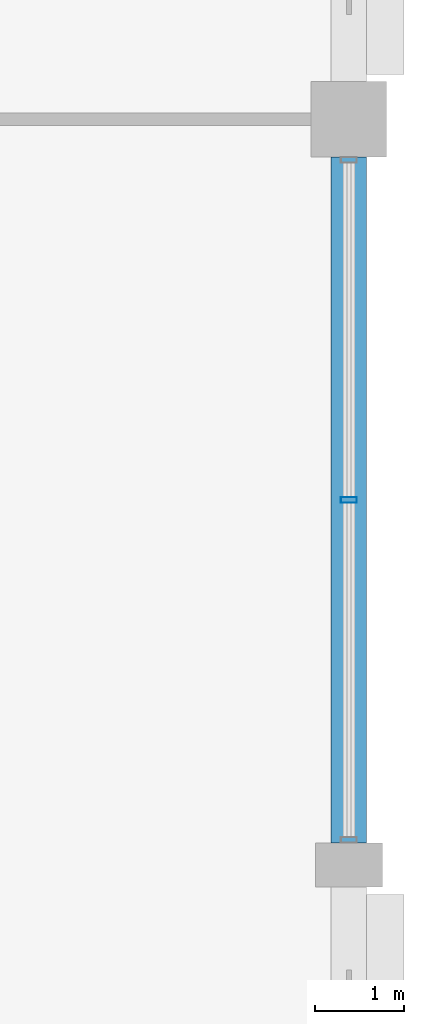
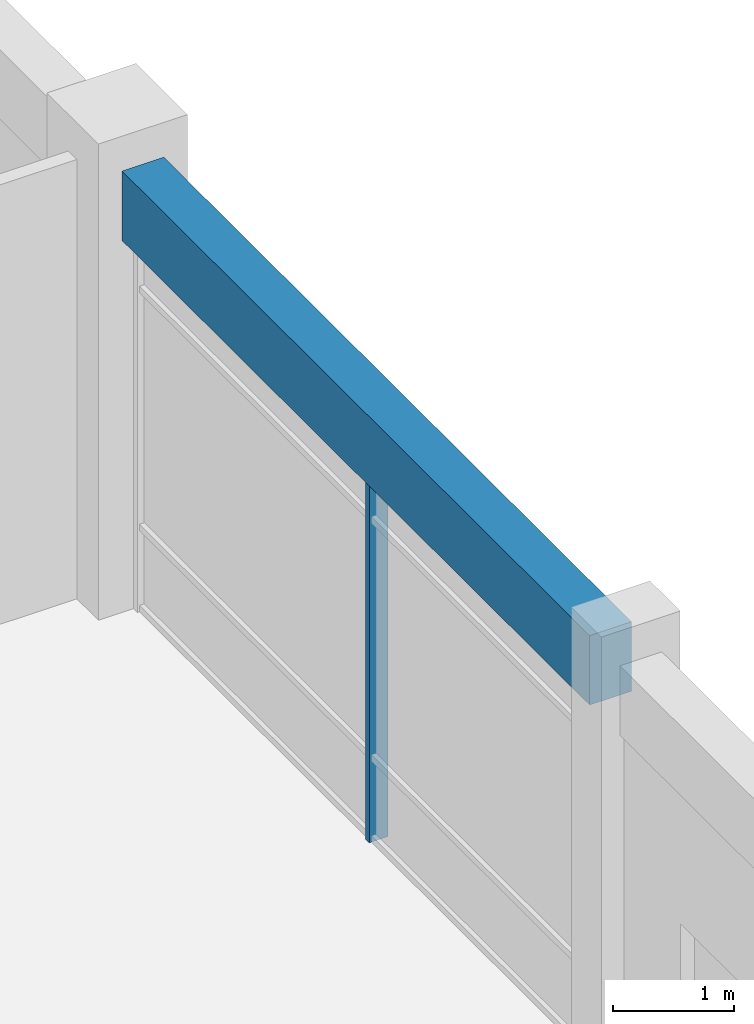
# One storey, part 45 of 79: 1 beam, 1 member, 1 element without a shape of its own.
"""IFC4 building model written with IfcOpenShell, lengths in metres."""

import ifcopenshell
import ifcopenshell.guid

model = None  # the IFC model being written
_history = None  # IfcOwnerHistory: only IFC2X3 demands one
_inside = {}  # id of a spatial element -> (the spatial element, [elements in it])
_under = {}  # id of a project, library or spatial element -> (it, [spatial elements below it])
_declared = {}  # id of a project -> (the project, [libraries it declares])
_typed = {}  # id of a type object -> (the type object, [elements of that type])
_made_of = {}  # id of a material, layer set ... -> (it, [elements and type objects made of it])


def new_model(schema):
    """Start an empty IFC model of exactly this schema.

    Asked for "IFC4X3", IfcOpenShell would pick the latest addendum, in which some entities
    have other attributes; the version numbers below select the first issue.
    IFC2X3 requires an IfcOwnerHistory on every rooted entity: one is made here for all.
    """
    global model, _history
    if schema == "IFC4X3":
        model = ifcopenshell.file(schema_version=(4, 3, 0, 0))
    else:
        model = ifcopenshell.file(schema=schema)
    _inside.clear()
    _under.clear()
    _declared.clear()
    _typed.clear()
    _made_of.clear()
    _history = None
    if model.schema == "IFC2X3":
        org = make("IfcOrganization", Name="unknown")
        user = make(
            "IfcPersonAndOrganization",
            ThePerson=make("IfcPerson", FamilyName="unknown"),
            TheOrganization=org,
        )
        app = make(
            "IfcApplication",
            ApplicationDeveloper=org,
            Version="unknown",
            ApplicationFullName="unknown",
            ApplicationIdentifier="unknown",
        )
        _history = make(
            "IfcOwnerHistory",
            OwningUser=user,
            OwningApplication=app,
            ChangeAction="ADDED",
            CreationDate=0,
        )
    return model


def make(cls, **values):
    """One entity of the class cls with the attributes given. An attribute that is None is left unset."""
    return model.create_entity(
        cls, **{name: value for name, value in values.items() if value is not None}
    )


def rooted(cls, **values):
    """An entity with a GlobalId (a new one), such as an element, a storey or a relation."""
    return make(cls, GlobalId=ifcopenshell.guid.new(), OwnerHistory=_history, **values)


def si_unit(unit_type, name, prefix=None):
    """IfcSIUnit, for example si_unit("LENGTHUNIT", "METRE", prefix="MILLI")."""
    return make("IfcSIUnit", UnitType=unit_type, Prefix=prefix, Name=name)


def assignment(units):
    """IfcUnitAssignment: the units of a project."""
    return None if units is None else make("IfcUnitAssignment", Units=units)


def point(xyz):
    """IfcCartesianPoint."""
    return None if xyz is None else make("IfcCartesianPoint", Coordinates=xyz)


def direction(xyz):
    """IfcDirection."""
    return None if xyz is None else make("IfcDirection", DirectionRatios=xyz)


def frame(location, z_axis=None, x_axis=None):
    """IfcAxis2Placement3D, a coordinate frame: its origin and axes. An axis left out is left unset."""
    return make(
        "IfcAxis2Placement3D",
        Location=point(location),
        Axis=direction(z_axis),
        RefDirection=direction(x_axis),
    )


def frame_2d(location, x_axis=None):
    """IfcAxis2Placement2D, a coordinate frame in the plane: its origin and x axis."""
    return make(
        "IfcAxis2Placement2D", Location=point(location), RefDirection=direction(x_axis)
    )


def origin():
    """The frame at (0, 0, 0) with its axes left unset."""
    return frame((0.0, 0.0, 0.0))


def origin_2d():
    """The frame at (0, 0) in the plane with its x axis left unset."""
    return frame_2d((0.0, 0.0))


def place(relative_to, where):
    """IfcLocalPlacement: puts the frame where relative to a parent placement (None: the world)."""
    return make(
        "IfcLocalPlacement", PlacementRelTo=relative_to, RelativePlacement=where
    )


def context(
    kind, dimensions, precision=None, world=None, true_north=None, identifier=None
):
    """IfcGeometricRepresentationContext, for example the 3D "Model" context."""
    return make(
        "IfcGeometricRepresentationContext",
        ContextIdentifier=identifier,
        ContextType=kind,
        CoordinateSpaceDimension=dimensions,
        Precision=precision,
        WorldCoordinateSystem=world,
        TrueNorth=true_north,
    )


def subcontext(parent, identifier, kind, view, scale=None):
    """IfcGeometricRepresentationSubContext, for example "Body" below "Model"."""
    return make(
        "IfcGeometricRepresentationSubContext",
        ContextIdentifier=identifier,
        ContextType=kind,
        ParentContext=parent,
        TargetScale=scale,
        TargetView=view,
    )


def project(units=None, contexts=None):
    """IfcProject with its units and contexts."""
    return rooted(
        "IfcProject",
        Name="project",
        RepresentationContexts=contexts,
        UnitsInContext=assignment(units),
    )


def spatial(cls, under=None, at=None, **own):
    """A site, building, storey or space (cls), placed at a placement, below another one or the project."""
    s = rooted(cls, ObjectPlacement=at, **own)
    if under is not None:
        _under.setdefault(under.id(), (under, []))[1].append(s)
    return s


def profile(cls, at=None, kind="AREA", **sizes):
    """A parametric profile (cls). Its sizes go by their IFC names, for example OverallWidth=200.0."""
    return make(cls, ProfileType=kind, Position=at, **sizes)


def rectangle(**sizes):
    """IfcRectangleProfileDef."""
    return profile("IfcRectangleProfileDef", **sizes)


def hollow_rectangle(**sizes):
    """IfcRectangleHollowProfileDef."""
    return profile("IfcRectangleHollowProfileDef", **sizes)


def extrude(swept, where, along, depth):
    """IfcExtrudedAreaSolid: the profile swept, set in the frame where, extruded along a direction by depth."""
    return make(
        "IfcExtrudedAreaSolid",
        SweptArea=swept,
        Position=where,
        ExtrudedDirection=direction(along),
        Depth=depth,
    )


def shape(context_of_items, identifier, shape_type, items):
    """IfcShapeRepresentation: the items that make up one representation, for example the "Body"."""
    return make(
        "IfcShapeRepresentation",
        ContextOfItems=context_of_items,
        RepresentationIdentifier=identifier,
        RepresentationType=shape_type,
        Items=items,
    )


def material(Name=None, Category=None):
    """IfcMaterial."""
    return make("IfcMaterial", Name=Name, Category=Category)


def material_profile(
    of_material, cross_section, Name=None, Category=None, Priority=None
):
    """IfcMaterialProfile: a cross section and its material."""
    return make(
        "IfcMaterialProfile",
        Name=Name,
        Material=of_material,
        Profile=cross_section,
        Priority=Priority,
        Category=Category,
    )


def profile_set(profiles, Name=None, composite=None):
    """IfcMaterialProfileSet."""
    return make(
        "IfcMaterialProfileSet",
        Name=Name,
        MaterialProfiles=profiles,
        CompositeProfile=composite,
    )


def made_of(thing, what):
    """Note that an element or type object is made of a material, layer set ...; save() writes the relation."""
    if what is not None:
        _made_of.setdefault(what.id(), (what, []))[1].append(thing)
    return thing


def type_object(cls, material=None, **own):
    """A type object (cls), such as IfcWallType, which elements share."""
    return made_of(rooted(cls, **own), material)


def element(
    cls,
    number,
    at=None,
    inside=None,
    cuts=None,
    type_object=None,
    material=None,
    context=None,
    identifier="Body",
    shape_type=None,
    held_by="IfcProductDefinitionShape",
    body=None,
    shapes=None,
    **own,
):
    """One element of the class cls, such as IfcWall. Its Tag is "e" and its number.

    at: its placement. inside: the storey or other place that contains it. cuts: it is an
    opening in that element (IfcRelVoidsElement). A single representation is given by context,
    identifier, shape_type and body (its items); several are given by shapes. held_by: the class
    of the entity that holds the representations. save() writes the other relations.
    """
    e = rooted(cls, Tag="e%d" % number, ObjectPlacement=at, **own)
    if body is not None:
        shapes = [shape(context, identifier, shape_type, body)]
    if shapes is not None:
        e.Representation = make(held_by, Representations=shapes)
    if inside is not None:
        _inside.setdefault(inside.id(), (inside, []))[1].append(e)
    if cuts is not None:
        rooted(
            "IfcRelVoidsElement", RelatingBuildingElement=cuts, RelatedOpeningElement=e
        )
    if type_object is not None:
        _typed.setdefault(type_object.id(), (type_object, []))[1].append(e)
    return made_of(e, material)


def aggregate(whole, parts):
    """IfcRelAggregates: a whole, such as a stair, and the parts it consists of."""
    return rooted("IfcRelAggregates", RelatingObject=whole, RelatedObjects=parts)


def save(model, path):
    """Write the relations noted so far, then the file.

    IfcRelAggregates (storeys below a building ...), IfcRelContainedInSpatialStructure (elements
    in a storey), IfcRelDefinesByType, IfcRelAssociatesMaterial and IfcRelDeclares: one each for
    every whole, place, type object, material and project.
    """
    for whole, parts in _under.values():
        aggregate(whole, parts)
    for where, things in _inside.values():
        rooted(
            "IfcRelContainedInSpatialStructure",
            RelatedElements=things,
            RelatingStructure=where,
        )
    for kind, things in _typed.values():
        rooted("IfcRelDefinesByType", RelatedObjects=things, RelatingType=kind)
    for what, things in _made_of.values():
        rooted("IfcRelAssociatesMaterial", RelatedObjects=things, RelatingMaterial=what)
    for by, libraries in _declared.values():
        rooted("IfcRelDeclares", RelatingContext=by, RelatedDefinitions=libraries)
    model.write(path)


model = new_model("IFC4")

# Units and contexts
model_context = context("Model", 3, precision=1e-05, world=origin(), true_north=direction((0.0, 1.0)))
body_context = subcontext(model_context, "Body", "Model", "MODEL_VIEW")
ifc_project = project(units=[si_unit("LENGTHUNIT", "METRE"), si_unit("AREAUNIT", "SQUARE_METRE"), si_unit("VOLUMEUNIT", "CUBIC_METRE"), si_unit("PLANEANGLEUNIT", "RADIAN"), si_unit("MASSUNIT", "GRAM", prefix="KILO"), si_unit("THERMODYNAMICTEMPERATUREUNIT", "KELVIN"), si_unit("POWERUNIT", "WATT")], contexts=[model_context])

# Site, building, storey
site_placement = place(None, origin())
site = spatial("IfcSite", under=ifc_project, at=site_placement, CompositionType="ELEMENT")
building_placement = place(site_placement, origin())
building = spatial("IfcBuilding", under=site, at=building_placement, Name="Srebrne Nadtorze General Hospital", CompositionType="ELEMENT")
storey_placement = place(building_placement, frame((0.0, 0.0, 4.800048828125)))
storey = spatial("IfcBuildingStorey", under=building, at=storey_placement, Name="L01", CompositionType="ELEMENT", Elevation=4.800048828125)

# Curtain wall, member
ifc_material_1 = material(Name="Anodised Aluminium", Category="aluminium")
curtain_wall_type = type_object("IfcCurtainWallType", Name="Unitised curtain wall 7725x3750", PredefinedType="NOTDEFINED", material=ifc_material_1)
curtain_wall_placement = place(storey_placement, origin())
curtain_wall = element("IfcCurtainWall", 1, at=curtain_wall_placement, inside=storey, type_object=curtain_wall_type, Name="Curtain wall CW-067", PredefinedType="NOTDEFINED")
ifc_material_2 = material(Name="Anodised Aluminium", Category="aluminium")
ifc_material_profile_1 = material_profile(ifc_material_2, hollow_rectangle(XDim=0.06494140625, YDim=0.179931640625, WallThickness=0.00390625, at=origin_2d()), Name="AL-MUL-65x180")
ifc_profile_set_1 = profile_set([ifc_material_profile_1], Name="Anodised Aluminium")
member_type = type_object("IfcMemberType", Name="Curtain mullion 65x180", PredefinedType="MULLION", material=ifc_profile_set_1)
member_placement = place(storey_placement, frame((171.60009765625, 62.91259765625, 0.0), z_axis=(0.0, 0.0, 1.0), x_axis=(0.0, 1.0, 0.0)))
member = element("IfcMember", 2, at=member_placement, type_object=member_type, Name="CW-067 mullion 2", PredefinedType="MULLION", context=body_context, shape_type="SweptSolid", body=[
    extrude(hollow_rectangle(XDim=0.06494140625, YDim=0.179931640625, WallThickness=0.00390625, at=origin_2d()), origin(), (0.0, 0.0, 1.0), 3.75),
])
aggregate(curtain_wall, [member])

# Beam
ifc_material_3 = material(Name="Concrete C40/50", Category="concrete")
ifc_material_profile_2 = material_profile(ifc_material_3, rectangle(XDim=0.39990234375, YDim=0.699951171875, at=origin_2d()), Name="RC-BM-400x700")
ifc_profile_set_2 = profile_set([ifc_material_profile_2], Name="Concrete C40/50")
beam_type = type_object("IfcBeamType", Name="Edge beam RC 400x700", PredefinedType="BEAM", material=ifc_profile_set_2)
beam_placement = place(storey_placement, frame((171.60009765625, 59.050048828125, 4.099853515625), z_axis=(0.0, 1.0, 0.0), x_axis=(-1.0, 0.0, 0.0)))
element("IfcBeam", 3, at=beam_placement, inside=storey, type_object=beam_type, Name="Beam BM-L01-Y-0551", PredefinedType="BEAM", context=body_context, shape_type="SweptSolid", body=[
    extrude(rectangle(XDim=0.39990234375, YDim=0.699951171875, at=origin_2d()), origin(), (0.0, 0.0, 1.0), 7.724853515625),
])

save(model, "model.ifc")
